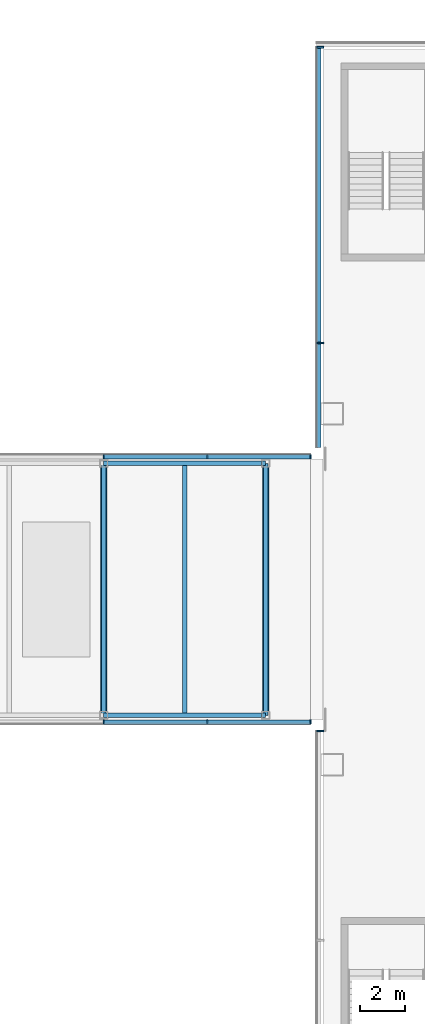
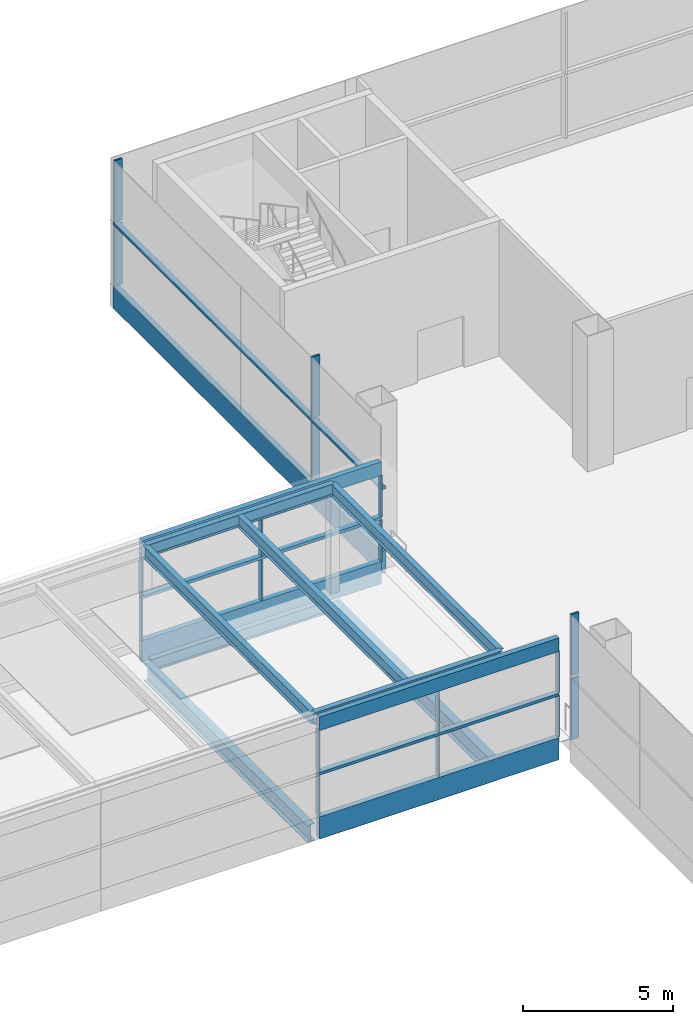
# One storey, part 22 of 100: 26 members, 9 beams, 5 elements without a shape of their own.
"""IFC4 building model written with IfcOpenShell, lengths in metres."""

from ifc_helpers import new_model, si_unit, direction, frame, origin, origin_2d, place, context, subcontext, project, spatial, rectangle, i_section, extrude, material, layer, layer_set, material_profile, profile_set, type_object, element, aggregate, save


model = new_model("IFC4")

# Units and contexts
model_context = context("Model", 3, precision=1e-05, world=origin(), true_north=direction((0.0, 1.0)))
body_context = subcontext(model_context, "Body", "Model", "MODEL_VIEW")
ifc_project = project(units=[si_unit("LENGTHUNIT", "METRE"), si_unit("AREAUNIT", "SQUARE_METRE"), si_unit("VOLUMEUNIT", "CUBIC_METRE"), si_unit("PLANEANGLEUNIT", "RADIAN"), si_unit("MASSUNIT", "GRAM", prefix="KILO")], contexts=[model_context])

# Site, building, storey
site_placement = place(None, origin())
site = spatial("IfcSite", under=ifc_project, at=site_placement, CompositionType="ELEMENT")
building_placement = place(site_placement, origin())
building = spatial("IfcBuilding", under=site, at=building_placement, Name="Hakoniwa Tower and Hamabe Station Hall", CompositionType="ELEMENT")
storey_placement = place(building_placement, frame((0.0, 0.0, 9.0)))
storey = spatial("IfcBuildingStorey", under=building, at=storey_placement, Name="L02", CompositionType="ELEMENT", Elevation=9.0)

# Beams
ifc_material_1 = material(Name="Steel SN490B", Category="steel")
ifc_material_profile_1 = material_profile(ifc_material_1, i_section(OverallWidth=0.199951171875, OverallDepth=0.5, WebThickness=0.010009765625, FlangeThickness=0.01611328125, FilletRadius=0.02001953125, at=origin_2d()), Name="H-500x200x10x16")
ifc_profile_set_1 = profile_set([ifc_material_profile_1], Name="Steel SN490B")
beam_type_1 = type_object("IfcBeamType", Name="ARCADE BEAM H-500x200x10x16", PredefinedType="BEAM", material=ifc_profile_set_1)
for number, where, z_axis, x_axis, name in (
    (1, (75.97509765625, -5.60009765625, -0.550048828125), (1.0, 0.0, 0.0), (0.0, 1.0, 0.0), "Arcade edge beam 03"),
    (2, (75.97509765625, 5.60009765625, -0.550048828125), (1.0, 0.0, 0.0), (0.0, 1.0, 0.0), "Arcade edge beam 06"),
):
    element("IfcBeam", number, at=place(storey_placement, frame(where, z_axis=z_axis, x_axis=x_axis)), inside=storey, type_object=beam_type_1, Name=name, PredefinedType="BEAM", context=body_context, shape_type="SweptSolid", body=[
        extrude(i_section(OverallWidth=0.199951171875, OverallDepth=0.5, WebThickness=0.010009765625, FlangeThickness=0.01611328125, FilletRadius=0.02001953125, at=origin_2d()), origin(), (0.0, 0.0, 1.0), 6.849853515625),
    ])
for number, where, z_axis, x_axis, name in (
    (3, (75.800048828125, -5.60009765625, 4.14990234375), (0.0, 1.0, 0.0), (-1.0, 0.0, 0.0), "Arcade roof beam 05"),
    (4, (79.39990234375, -5.60009765625, 4.14990234375), (0.0, 1.0, 0.0), (-1.0, 0.0, 0.0), "Arcade roof beam 06"),
    (5, (83.0, -5.60009765625, 4.14990234375), (0.0, 1.0, 0.0), (-1.0, 0.0, 0.0), "Arcade roof beam 07"),
):
    element("IfcBeam", number, at=place(storey_placement, frame(where, z_axis=z_axis, x_axis=x_axis)), inside=storey, type_object=beam_type_1, Name=name, PredefinedType="BEAM", context=body_context, shape_type="SweptSolid", body=[
        extrude(i_section(OverallWidth=0.199951171875, OverallDepth=0.5, WebThickness=0.010009765625, FlangeThickness=0.01611328125, FilletRadius=0.02001953125, at=origin_2d()), origin(), (0.0, 0.0, 1.0), 11.2001953125),
    ])
for number, where, z_axis, x_axis, name in (
    (6, (75.800048828125, -5.60009765625, 4.14990234375), (1.0, 0.0, 0.0), (0.0, 1.0, 0.0), "Arcade roof edge beam 03"),
    (7, (75.800048828125, 5.60009765625, 4.14990234375), (1.0, 0.0, 0.0), (0.0, 1.0, 0.0), "Arcade roof edge beam 06"),
):
    element("IfcBeam", number, at=place(storey_placement, frame(where, z_axis=z_axis, x_axis=x_axis)), inside=storey, type_object=beam_type_1, Name=name, PredefinedType="BEAM", context=body_context, shape_type="SweptSolid", body=[
        extrude(i_section(OverallWidth=0.199951171875, OverallDepth=0.5, WebThickness=0.010009765625, FlangeThickness=0.01611328125, FilletRadius=0.02001953125, at=origin_2d()), origin(), (0.0, 0.0, 1.0), 7.199951171875),
    ])
ifc_material_2 = material(Name="Steel SN490B", Category="steel")
ifc_material_profile_2 = material_profile(ifc_material_2, i_section(OverallWidth=0.300048828125, OverallDepth=0.699951171875, WebThickness=0.012939453125, FlangeThickness=0.02392578125, FilletRadius=0.028076171875, at=origin_2d()), Name="H-700x300x13x24")
ifc_profile_set_2 = profile_set([ifc_material_profile_2], Name="Steel SN490B")
beam_type_2 = type_object("IfcBeamType", Name="ARCADE BEAM H-700x300x13x24", PredefinedType="BEAM", material=ifc_profile_set_2)
for number, where, z_axis, x_axis, name in (
    (8, (75.800048828125, -5.425048828125, -0.64990234375), (0.0, 1.0, 0.0), (-1.0, 0.0, 0.0), "Arcade deck beam 03"),
    (9, (83.0, -5.425048828125, -0.64990234375), (0.0, 1.0, 0.0), (-1.0, 0.0, 0.0), "Arcade deck beam 04"),
):
    element("IfcBeam", number, at=place(storey_placement, frame(where, z_axis=z_axis, x_axis=x_axis)), inside=storey, type_object=beam_type_2, Name=name, PredefinedType="BEAM", context=body_context, shape_type="SweptSolid", body=[
        extrude(i_section(OverallWidth=0.300048828125, OverallDepth=0.699951171875, WebThickness=0.012939453125, FlangeThickness=0.02392578125, FilletRadius=0.028076171875, at=origin_2d()), origin(), (0.0, 0.0, 1.0), 10.85009765625),
    ])

# Curtain wall, member
ifc_material_3 = material(Name="Dark low-e laminated glass", Category="glass")
ifc_layer_1 = layer(ifc_material_3, 0.199951171875)
ifc_layer_set_1 = layer_set([ifc_layer_1], Name="CW-5 ARCADE")
curtain_wall_type_1 = type_object("IfcCurtainWallType", Name="CW-5 ARCADE", PredefinedType="NOTDEFINED", material=ifc_layer_set_1)
curtain_wall_1_placement = place(storey_placement, origin())
curtain_wall_1 = element("IfcCurtainWall", 10, at=curtain_wall_1_placement, inside=storey, type_object=curtain_wall_type_1, Name="CW-5 curtain wall", PredefinedType="NOTDEFINED")
ifc_material_4 = material(Name="Aluminium 6063-T5 black anodised", Category="aluminium")
ifc_material_profile_3 = material_profile(ifc_material_4, rectangle(XDim=0.199951171875, YDim=0.550048828125, at=origin_2d()), Name="CW HEAD BAND 550X200")
ifc_profile_set_3 = profile_set([ifc_material_profile_3], Name="Aluminium 6063-T5 black anodised")
member_type_1 = type_object("IfcMemberType", Name="CW HEAD BAND 550X200", PredefinedType="USERDEFINED", material=ifc_profile_set_3)
member_1_placement = place(storey_placement, frame((75.800048828125, -5.89990234375, 4.125), z_axis=(1.0, 0.0, 0.0), x_axis=(0.0, 1.0, 0.0)))
member_1 = element("IfcMember", 11, at=member_1_placement, type_object=member_type_1, Name="CW-5 transom", ObjectType="TRANSOM", PredefinedType="USERDEFINED", context=body_context, shape_type="SweptSolid", body=[
    extrude(rectangle(XDim=0.199951171875, YDim=0.550048828125, at=origin_2d()), origin(), (0.0, 0.0, 1.0), 9.199951171875),
])

curtain_wall_2_placement = place(storey_placement, origin())
curtain_wall_2 = element("IfcCurtainWall", 12, at=curtain_wall_2_placement, inside=storey, type_object=curtain_wall_type_1, Name="CW-5 curtain wall", PredefinedType="NOTDEFINED")
member_2_placement = place(storey_placement, frame((85.0, 5.89990234375, 4.125), z_axis=(-1.0, 0.0, 0.0), x_axis=(0.0, -1.0, 0.0)))
member_2 = element("IfcMember", 13, at=member_2_placement, type_object=member_type_1, Name="CW-5 transom", ObjectType="TRANSOM", PredefinedType="USERDEFINED", context=body_context, shape_type="SweptSolid", body=[
    extrude(rectangle(XDim=0.199951171875, YDim=0.550048828125, at=origin_2d()), origin(), (0.0, 0.0, 1.0), 9.199951171875),
])

# Member
ifc_material_5 = material(Name="Aluminium 6063-T5 black anodised", Category="aluminium")
ifc_material_profile_4 = material_profile(ifc_material_5, rectangle(XDim=0.199951171875, YDim=0.1201171875, at=origin_2d()), Name="CW MID TRANSOM 120X200")
ifc_profile_set_4 = profile_set([ifc_material_profile_4], Name="Aluminium 6063-T5 black anodised")
member_type_2 = type_object("IfcMemberType", Name="CW MID TRANSOM 120X200", PredefinedType="USERDEFINED", material=ifc_profile_set_4)
member_3_placement = place(storey_placement, frame((75.800048828125, -5.89990234375, 2.10009765625), z_axis=(1.0, 0.0, 0.0), x_axis=(0.0, 1.0, 0.0)))
member_3 = element("IfcMember", 14, at=member_3_placement, type_object=member_type_2, Name="CW-5 transom", ObjectType="TRANSOM", PredefinedType="USERDEFINED", context=body_context, shape_type="SweptSolid", body=[
    extrude(rectangle(XDim=0.199951171875, YDim=0.1201171875, at=origin_2d()), origin(), (0.0, 0.0, 1.0), 9.199951171875),
])

member_4_placement = place(storey_placement, frame((85.0, 5.89990234375, 2.10009765625), z_axis=(-1.0, 0.0, 0.0), x_axis=(0.0, -1.0, 0.0)))
member_4 = element("IfcMember", 15, at=member_4_placement, type_object=member_type_2, Name="CW-5 transom", ObjectType="TRANSOM", PredefinedType="USERDEFINED", context=body_context, shape_type="SweptSolid", body=[
    extrude(rectangle(XDim=0.199951171875, YDim=0.1201171875, at=origin_2d()), origin(), (0.0, 0.0, 1.0), 9.199951171875),
])

# Curtain wall, member
ifc_material_6 = material(Name="Dark low-e laminated glass", Category="glass")
ifc_layer_2 = layer(ifc_material_6, 0.199951171875)
ifc_layer_set_2 = layer_set([ifc_layer_2], Name="CW-7 STATION")
curtain_wall_type_2 = type_object("IfcCurtainWallType", Name="CW-7 STATION", PredefinedType="NOTDEFINED", material=ifc_layer_set_2)
curtain_wall_3_placement = place(storey_placement, origin())
curtain_wall_3 = element("IfcCurtainWall", 16, at=curtain_wall_3_placement, inside=storey, type_object=curtain_wall_type_2, Name="Station curtain wall L02 west", PredefinedType="NOTDEFINED")
member_5_placement = place(storey_placement, frame((85.35009765625, 24.10009765625, 2.89990234375), z_axis=(0.0, -1.0, 0.0), x_axis=(1.0, 0.0, 0.0)))
member_5 = element("IfcMember", 17, at=member_5_placement, type_object=member_type_2, Name="CW-7 transom", ObjectType="TRANSOM", PredefinedType="USERDEFINED", context=body_context, shape_type="SweptSolid", body=[
    extrude(rectangle(XDim=0.199951171875, YDim=0.1201171875, at=origin_2d()), origin(), (0.0, 0.0, 1.0), 17.800048828125),
])

# Member
ifc_material_7 = material(Name="Aluminium 6063-T5 black anodised", Category="aluminium")
ifc_material_profile_5 = material_profile(ifc_material_7, rectangle(XDim=0.199951171875, YDim=0.89990234375, at=origin_2d()), Name="CW SLAB-EDGE BAND 900X200")
ifc_profile_set_5 = profile_set([ifc_material_profile_5], Name="Aluminium 6063-T5 black anodised")
member_type_3 = type_object("IfcMemberType", Name="CW SLAB-EDGE BAND 900X200", PredefinedType="USERDEFINED", material=ifc_profile_set_5)
member_6_placement = place(storey_placement, frame((75.800048828125, -5.89990234375, -0.10009765625), z_axis=(1.0, 0.0, 0.0), x_axis=(0.0, 1.0, 0.0)))
member_6 = element("IfcMember", 18, at=member_6_placement, type_object=member_type_3, Name="CW-5 transom", ObjectType="TRANSOM", PredefinedType="USERDEFINED", context=body_context, shape_type="SweptSolid", body=[
    extrude(rectangle(XDim=0.199951171875, YDim=0.89990234375, at=origin_2d()), origin(), (0.0, 0.0, 1.0), 9.199951171875),
])

member_7_placement = place(storey_placement, frame((85.0, 5.89990234375, -0.10009765625), z_axis=(-1.0, 0.0, 0.0), x_axis=(0.0, -1.0, 0.0)))
member_7 = element("IfcMember", 19, at=member_7_placement, type_object=member_type_3, Name="CW-5 transom", ObjectType="TRANSOM", PredefinedType="USERDEFINED", context=body_context, shape_type="SweptSolid", body=[
    extrude(rectangle(XDim=0.199951171875, YDim=0.89990234375, at=origin_2d()), origin(), (0.0, 0.0, 1.0), 9.199951171875),
])

member_8_placement = place(storey_placement, frame((85.35009765625, 24.10009765625, -0.10009765625), z_axis=(0.0, -1.0, 0.0), x_axis=(1.0, 0.0, 0.0)))
member_8 = element("IfcMember", 20, at=member_8_placement, type_object=member_type_3, Name="CW-7 transom", ObjectType="TRANSOM", PredefinedType="USERDEFINED", context=body_context, shape_type="SweptSolid", body=[
    extrude(rectangle(XDim=0.199951171875, YDim=0.89990234375, at=origin_2d()), origin(), (0.0, 0.0, 1.0), 17.800048828125),
])

ifc_material_8 = material(Name="Aluminium 6063-T5 black anodised", Category="aluminium")
ifc_material_profile_6 = material_profile(ifc_material_8, rectangle(XDim=0.06005859375, YDim=0.179931640625, at=origin_2d()), Name="CW-1 MULLION 60X180")
ifc_profile_set_6 = profile_set([ifc_material_profile_6], Name="Aluminium 6063-T5 black anodised")
member_type_4 = type_object("IfcMemberType", Name="CW-1 MULLION 60X180", PredefinedType="MULLION", material=ifc_profile_set_6)
member_9_placement = place(storey_placement, frame((75.800048828125, -5.882080078125, 0.35009765625), z_axis=(0.0, 0.0, 1.0), x_axis=(1.0, 0.0, 0.0)))
member_9 = element("IfcMember", 21, at=member_9_placement, type_object=member_type_4, Name="CW-5 mullion", PredefinedType="MULLION", context=body_context, shape_type="SweptSolid", body=[
    extrude(rectangle(XDim=0.06005859375, YDim=0.179931640625, at=origin_2d()), origin(), (0.0, 0.0, 1.0), 1.68994140625),
])

member_10_placement = place(storey_placement, frame((75.800048828125, -5.882080078125, 2.159912109375), z_axis=(0.0, 0.0, 1.0), x_axis=(1.0, 0.0, 0.0)))
member_10 = element("IfcMember", 22, at=member_10_placement, type_object=member_type_4, Name="CW-5 mullion", PredefinedType="MULLION", context=body_context, shape_type="SweptSolid", body=[
    extrude(rectangle(XDim=0.06005859375, YDim=0.179931640625, at=origin_2d()), origin(), (0.0, 0.0, 1.0), 1.690185546875),
])

member_11_placement = place(storey_placement, frame((80.39990234375, -5.882080078125, 0.35009765625), z_axis=(0.0, 0.0, 1.0), x_axis=(1.0, 0.0, 0.0)))
member_11 = element("IfcMember", 23, at=member_11_placement, type_object=member_type_4, Name="CW-5 mullion", PredefinedType="MULLION", context=body_context, shape_type="SweptSolid", body=[
    extrude(rectangle(XDim=0.06005859375, YDim=0.179931640625, at=origin_2d()), origin(), (0.0, 0.0, 1.0), 1.68994140625),
])

member_12_placement = place(storey_placement, frame((80.39990234375, -5.882080078125, 2.159912109375), z_axis=(0.0, 0.0, 1.0), x_axis=(1.0, 0.0, 0.0)))
member_12 = element("IfcMember", 24, at=member_12_placement, type_object=member_type_4, Name="CW-5 mullion", PredefinedType="MULLION", context=body_context, shape_type="SweptSolid", body=[
    extrude(rectangle(XDim=0.06005859375, YDim=0.179931640625, at=origin_2d()), origin(), (0.0, 0.0, 1.0), 1.690185546875),
])

member_13_placement = place(storey_placement, frame((85.0, -5.882080078125, 0.35009765625), z_axis=(0.0, 0.0, 1.0), x_axis=(1.0, 0.0, 0.0)))
member_13 = element("IfcMember", 25, at=member_13_placement, type_object=member_type_4, Name="CW-5 mullion", PredefinedType="MULLION", context=body_context, shape_type="SweptSolid", body=[
    extrude(rectangle(XDim=0.06005859375, YDim=0.179931640625, at=origin_2d()), origin(), (0.0, 0.0, 1.0), 1.68994140625),
])

member_14_placement = place(storey_placement, frame((85.0, -5.882080078125, 2.159912109375), z_axis=(0.0, 0.0, 1.0), x_axis=(1.0, 0.0, 0.0)))
member_14 = element("IfcMember", 26, at=member_14_placement, type_object=member_type_4, Name="CW-5 mullion", PredefinedType="MULLION", context=body_context, shape_type="SweptSolid", body=[
    extrude(rectangle(XDim=0.06005859375, YDim=0.179931640625, at=origin_2d()), origin(), (0.0, 0.0, 1.0), 1.690185546875),
])

aggregate(curtain_wall_1, [member_9, member_10, member_11, member_12, member_13, member_14, member_6, member_3, member_1])

member_15_placement = place(storey_placement, frame((85.0, 5.882080078125, 0.35009765625), z_axis=(0.0, 0.0, 1.0), x_axis=(-1.0, 0.0, 0.0)))
member_15 = element("IfcMember", 27, at=member_15_placement, type_object=member_type_4, Name="CW-5 mullion", PredefinedType="MULLION", context=body_context, shape_type="SweptSolid", body=[
    extrude(rectangle(XDim=0.06005859375, YDim=0.179931640625, at=origin_2d()), origin(), (0.0, 0.0, 1.0), 1.68994140625),
])

member_16_placement = place(storey_placement, frame((85.0, 5.882080078125, 2.159912109375), z_axis=(0.0, 0.0, 1.0), x_axis=(-1.0, 0.0, 0.0)))
member_16 = element("IfcMember", 28, at=member_16_placement, type_object=member_type_4, Name="CW-5 mullion", PredefinedType="MULLION", context=body_context, shape_type="SweptSolid", body=[
    extrude(rectangle(XDim=0.06005859375, YDim=0.179931640625, at=origin_2d()), origin(), (0.0, 0.0, 1.0), 1.690185546875),
])

member_17_placement = place(storey_placement, frame((80.39990234375, 5.882080078125, 0.35009765625), z_axis=(0.0, 0.0, 1.0), x_axis=(-1.0, 0.0, 0.0)))
member_17 = element("IfcMember", 29, at=member_17_placement, type_object=member_type_4, Name="CW-5 mullion", PredefinedType="MULLION", context=body_context, shape_type="SweptSolid", body=[
    extrude(rectangle(XDim=0.06005859375, YDim=0.179931640625, at=origin_2d()), origin(), (0.0, 0.0, 1.0), 1.68994140625),
])

member_18_placement = place(storey_placement, frame((80.39990234375, 5.882080078125, 2.159912109375), z_axis=(0.0, 0.0, 1.0), x_axis=(-1.0, 0.0, 0.0)))
member_18 = element("IfcMember", 30, at=member_18_placement, type_object=member_type_4, Name="CW-5 mullion", PredefinedType="MULLION", context=body_context, shape_type="SweptSolid", body=[
    extrude(rectangle(XDim=0.06005859375, YDim=0.179931640625, at=origin_2d()), origin(), (0.0, 0.0, 1.0), 1.690185546875),
])

aggregate(curtain_wall_2, [member_15, member_16, member_17, member_18, member_7, member_4, member_2])

# Curtain wall, members
curtain_wall_4_placement = place(storey_placement, origin())
curtain_wall_4 = element("IfcCurtainWall", 31, at=curtain_wall_4_placement, inside=storey, type_object=curtain_wall_type_1, Name="CW-5 curtain wall", PredefinedType="NOTDEFINED")
member_19_placement = place(storey_placement, frame((75.800048828125, 5.882080078125, 0.35009765625), z_axis=(0.0, 0.0, 1.0), x_axis=(-1.0, 0.0, 0.0)))
member_19 = element("IfcMember", 32, at=member_19_placement, type_object=member_type_4, Name="CW-5 mullion", PredefinedType="MULLION", context=body_context, shape_type="SweptSolid", body=[
    extrude(rectangle(XDim=0.06005859375, YDim=0.179931640625, at=origin_2d()), origin(), (0.0, 0.0, 1.0), 1.68994140625),
])
member_20_placement = place(storey_placement, frame((75.800048828125, 5.882080078125, 2.159912109375), z_axis=(0.0, 0.0, 1.0), x_axis=(-1.0, 0.0, 0.0)))
member_20 = element("IfcMember", 33, at=member_20_placement, type_object=member_type_4, Name="CW-5 mullion", PredefinedType="MULLION", context=body_context, shape_type="SweptSolid", body=[
    extrude(rectangle(XDim=0.06005859375, YDim=0.179931640625, at=origin_2d()), origin(), (0.0, 0.0, 1.0), 1.690185546875),
])
aggregate(curtain_wall_4, [member_19, member_20])

# Member
ifc_material_9 = material(Name="Aluminium 6063-T5 black anodised", Category="aluminium")
ifc_material_profile_7 = material_profile(ifc_material_9, rectangle(XDim=0.080078125, YDim=0.300048828125, at=origin_2d()), Name="CW-3 MULLION 80X300")
ifc_profile_set_7 = profile_set([ifc_material_profile_7], Name="Aluminium 6063-T5 black anodised")
member_type_5 = type_object("IfcMemberType", Name="CW-3 MULLION 80X300", PredefinedType="MULLION", material=ifc_profile_set_7)
member_21_placement = place(storey_placement, frame((85.427978515625, 24.10009765625, 0.35009765625), z_axis=(0.0, 0.0, 1.0), x_axis=(0.0, -1.0, 0.0)))
member_21 = element("IfcMember", 34, at=member_21_placement, type_object=member_type_5, Name="CW-7 mullion", PredefinedType="MULLION", context=body_context, shape_type="SweptSolid", body=[
    extrude(rectangle(XDim=0.080078125, YDim=0.300048828125, at=origin_2d()), origin(), (0.0, 0.0, 1.0), 2.489990234375),
])

member_22_placement = place(storey_placement, frame((85.427978515625, 24.10009765625, 2.9599609375), z_axis=(0.0, 0.0, 1.0), x_axis=(0.0, -1.0, 0.0)))
member_22 = element("IfcMember", 35, at=member_22_placement, type_object=member_type_5, Name="CW-7 mullion", PredefinedType="MULLION", context=body_context, shape_type="SweptSolid", body=[
    extrude(rectangle(XDim=0.080078125, YDim=0.300048828125, at=origin_2d()), origin(), (0.0, 0.0, 1.0), 2.489990234375),
])

member_23_placement = place(storey_placement, frame((85.427978515625, 10.949951171875, 0.35009765625), z_axis=(0.0, 0.0, 1.0), x_axis=(0.0, -1.0, 0.0)))
member_23 = element("IfcMember", 36, at=member_23_placement, type_object=member_type_5, Name="CW-7 mullion", PredefinedType="MULLION", context=body_context, shape_type="SweptSolid", body=[
    extrude(rectangle(XDim=0.080078125, YDim=0.300048828125, at=origin_2d()), origin(), (0.0, 0.0, 1.0), 2.489990234375),
])

member_24_placement = place(storey_placement, frame((85.427978515625, 10.949951171875, 2.9599609375), z_axis=(0.0, 0.0, 1.0), x_axis=(0.0, -1.0, 0.0)))
member_24 = element("IfcMember", 37, at=member_24_placement, type_object=member_type_5, Name="CW-7 mullion", PredefinedType="MULLION", context=body_context, shape_type="SweptSolid", body=[
    extrude(rectangle(XDim=0.080078125, YDim=0.300048828125, at=origin_2d()), origin(), (0.0, 0.0, 1.0), 2.489990234375),
])

aggregate(curtain_wall_3, [member_21, member_22, member_23, member_24, member_8, member_5])

# Curtain wall, members
curtain_wall_5_placement = place(storey_placement, origin())
curtain_wall_5 = element("IfcCurtainWall", 38, at=curtain_wall_5_placement, inside=storey, type_object=curtain_wall_type_2, Name="Station curtain wall L02 west 2", PredefinedType="NOTDEFINED")
member_25_placement = place(storey_placement, frame((85.427978515625, -6.300048828125, 0.35009765625), z_axis=(0.0, 0.0, 1.0), x_axis=(0.0, -1.0, 0.0)))
member_25 = element("IfcMember", 39, at=member_25_placement, type_object=member_type_5, Name="CW-7 mullion", PredefinedType="MULLION", context=body_context, shape_type="SweptSolid", body=[
    extrude(rectangle(XDim=0.080078125, YDim=0.300048828125, at=origin_2d()), origin(), (0.0, 0.0, 1.0), 2.489990234375),
])
member_26_placement = place(storey_placement, frame((85.427978515625, -6.300048828125, 2.9599609375), z_axis=(0.0, 0.0, 1.0), x_axis=(0.0, -1.0, 0.0)))
member_26 = element("IfcMember", 40, at=member_26_placement, type_object=member_type_5, Name="CW-7 mullion", PredefinedType="MULLION", context=body_context, shape_type="SweptSolid", body=[
    extrude(rectangle(XDim=0.080078125, YDim=0.300048828125, at=origin_2d()), origin(), (0.0, 0.0, 1.0), 2.489990234375),
])
aggregate(curtain_wall_5, [member_25, member_26])

save(model, "model.ifc")
